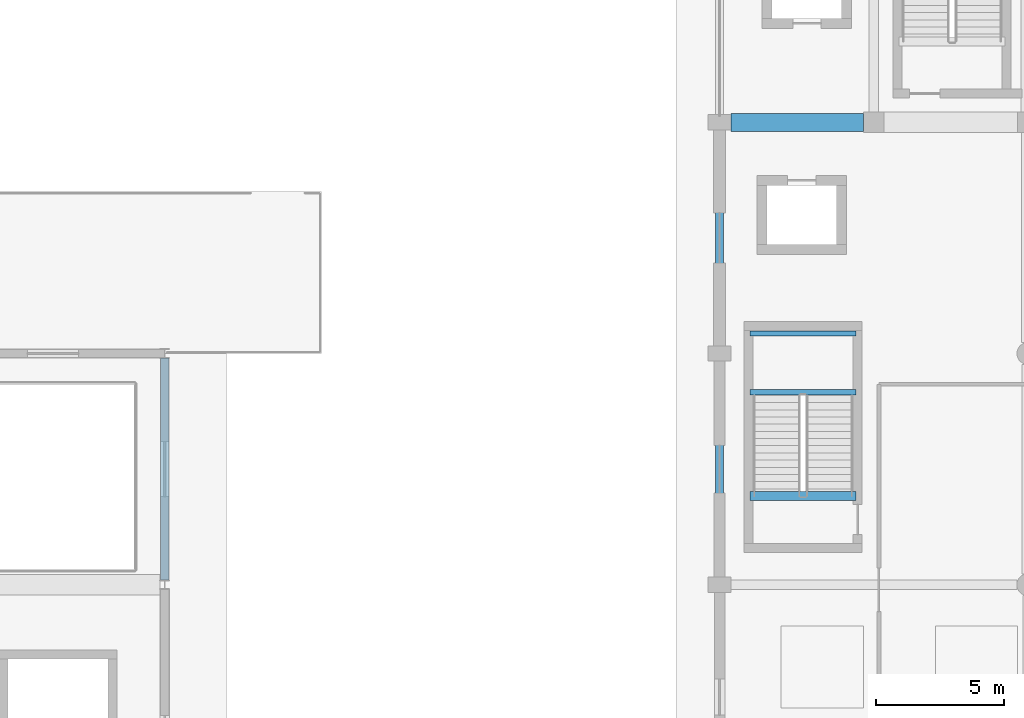
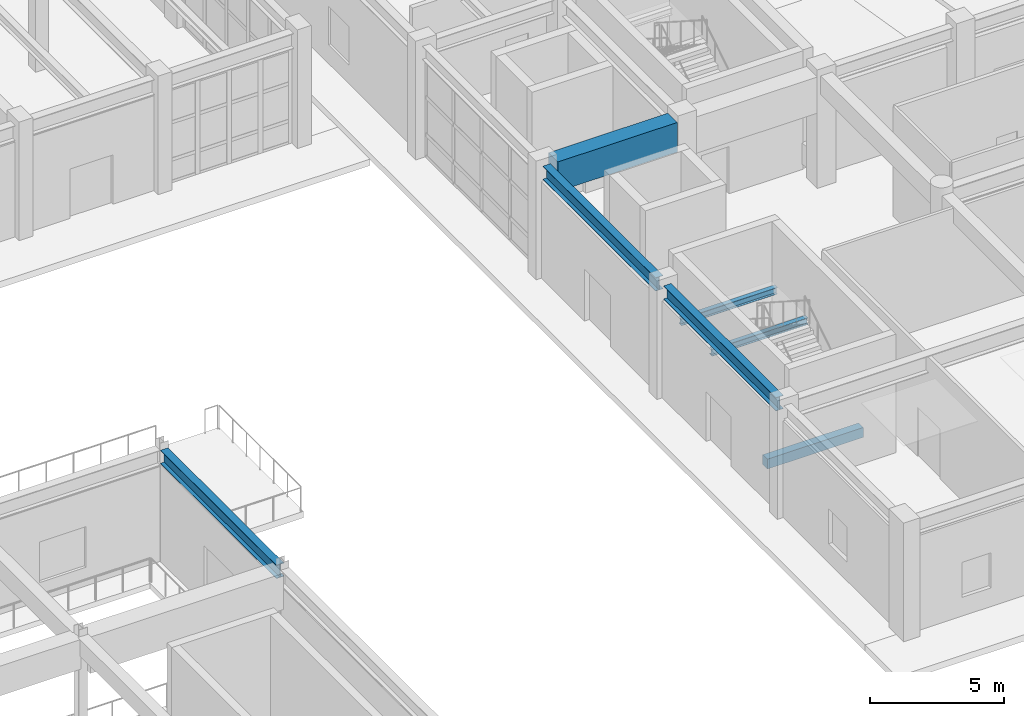
# One storey, part 6 of 91: 7 beams.
"""IFC4 building model written with IfcOpenShell, lengths in metres."""

from ifc_helpers import new_model, si_unit, direction, frame, origin, origin_2d, place, context, subcontext, project, spatial, rectangle, i_section, extrude, material, material_profile, profile_set, type_object, element, save


model = new_model("IFC4")

# Units and contexts
model_context = context("Model", 3, precision=1e-05, world=origin(), true_north=direction((0.0, 1.0)))
body_context = subcontext(model_context, "Body", "Model", "MODEL_VIEW")
ifc_project = project(units=[si_unit("LENGTHUNIT", "METRE"), si_unit("AREAUNIT", "SQUARE_METRE"), si_unit("VOLUMEUNIT", "CUBIC_METRE"), si_unit("PLANEANGLEUNIT", "RADIAN"), si_unit("MASSUNIT", "GRAM", prefix="KILO")], contexts=[model_context])

# Site, building, storey
site_placement = place(None, origin())
site = spatial("IfcSite", under=ifc_project, at=site_placement, CompositionType="ELEMENT")
building_placement = place(site_placement, origin())
building = spatial("IfcBuilding", under=site, at=building_placement, Name="Vaelkrest Opera House", CompositionType="ELEMENT")
storey_placement = place(building_placement, origin())
storey = spatial("IfcBuildingStorey", under=building, at=storey_placement, Name="L00", CompositionType="ELEMENT", Elevation=0.0)

# Beams
ifc_material_1 = material(Name="Concrete C50/60", Category="concrete")
ifc_material_profile_1 = material_profile(ifc_material_1, rectangle(XDim=0.699951171875, YDim=1.35009765625, at=origin_2d()), Name="RCB700X1350")
ifc_profile_set_1 = profile_set([ifc_material_profile_1], Name="Concrete C50/60")
beam_type_1 = type_object("IfcBeamType", Name="B06", PredefinedType="BEAM", material=ifc_profile_set_1)
beam_1_placement = place(storey_placement, frame((-29.550048828125, -28.800048828125, 4.405029296875), z_axis=(1.0, 0.0, 0.0), x_axis=(0.0, 1.0, 0.0)))
element("IfcBeam", 1, at=beam_1_placement, inside=storey, type_object=beam_type_1, Name="Beam BM-V1-L00-0103", PredefinedType="BEAM", context=body_context, shape_type="SweptSolid", body=[
    extrude(rectangle(XDim=0.699951171875, YDim=1.35009765625, at=origin_2d()), origin(), (0.0, 0.0, 1.0), 5.150146484375),
])
ifc_material_2 = material(Name="Steel A992 Gr50", Category="steel")
ifc_material_profile_2 = material_profile(ifc_material_2, i_section(OverallWidth=0.202880859375, OverallDepth=0.302978515625, WebThickness=0.007568359375, FlangeThickness=0.01318359375, at=origin_2d()), Name="W12X40")
ifc_profile_set_2 = profile_set([ifc_material_profile_2], Name="Steel A992 Gr50")
beam_type_2 = type_object("IfcBeamType", Name="J02", PredefinedType="JOIST", material=ifc_profile_set_2)
for number, where, z_axis, x_axis, name in (
    (2, (-28.820068359375, -39.31005859375, 2.348388671875), (1.0, 0.0, 0.0), (0.0, 1.0, 0.0), "Stair landing bearer beam ST03 L00-1N"),
    (3, (-28.820068359375, -37.02001953125, 2.348388671875), (1.0, 0.0, 0.0), (0.0, 1.0, 0.0), "Stair landing bearer beam ST03 L00-1F"),
):
    element("IfcBeam", number, at=place(storey_placement, frame(where, z_axis=z_axis, x_axis=x_axis)), inside=storey, type_object=beam_type_2, Name=name, PredefinedType="JOIST", context=body_context, shape_type="SweptSolid", body=[
        extrude(i_section(OverallWidth=0.202880859375, OverallDepth=0.302978515625, WebThickness=0.007568359375, FlangeThickness=0.01318359375, at=origin_2d()), origin(), (0.0, 0.0, 1.0), 4.14013671875),
    ])
ifc_material_profile_3 = material_profile(ifc_material_1, rectangle(XDim=0.35009765625, YDim=0.449951171875, at=origin_2d()), Name="RCB350X450")
ifc_profile_set_3 = profile_set([ifc_material_profile_3], Name="Concrete C50/60")
beam_type_3 = type_object("IfcBeamType", Name="LN01", PredefinedType="LINTEL", material=ifc_profile_set_3)
beam_2_placement = place(storey_placement, frame((-28.820068359375, -43.35009765625, -0.22509765625), z_axis=(1.0, 0.0, 0.0), x_axis=(0.0, 1.0, 0.0)))
element("IfcBeam", 4, at=beam_2_placement, inside=storey, type_object=beam_type_3, Name="Stairwell trimmer beam ST03 L00", PredefinedType="LINTEL", context=body_context, shape_type="SweptSolid", body=[
    extrude(rectangle(XDim=0.35009765625, YDim=0.449951171875, at=origin_2d()), origin(), (0.0, 0.0, 1.0), 4.14013671875),
])
ifc_material_profile_4 = material_profile(ifc_material_2, i_section(OverallWidth=0.323974609375, OverallDepth=0.611083984375, WebThickness=0.0126953125, FlangeThickness=0.01904296875, at=origin_2d()), Name="W24X104")
ifc_profile_set_4 = profile_set([ifc_material_profile_4], Name="Steel A992 Gr50")
beam_type_4 = type_object("IfcBeamType", Name="SP01", PredefinedType="SPANDREL", material=ifc_profile_set_4)
for number, where, z_axis, x_axis, name in (
    (5, (-30.0, -46.5, 4.7744140625), (0.0, 1.0, 0.0), (-1.0, 0.0, 0.0), "Beam BM-V1-L00-0142"),
    (6, (-30.0, -37.5, 4.7744140625), (0.0, 1.0, 0.0), (-1.0, 0.0, 0.0), "Beam BM-V1-L00-0143"),
):
    element("IfcBeam", number, at=place(storey_placement, frame(where, z_axis=z_axis, x_axis=x_axis)), inside=storey, type_object=beam_type_4, Name=name, PredefinedType="SPANDREL", context=body_context, shape_type="SweptSolid", body=[
        extrude(i_section(OverallWidth=0.323974609375, OverallDepth=0.611083984375, WebThickness=0.0126953125, FlangeThickness=0.01904296875, at=origin_2d()), origin(), (0.0, 0.0, 1.0), 8.39990234375),
    ])
beam_3_placement = place(storey_placement, frame((-51.60009765625, -46.6201171875, 4.7744140625), z_axis=(0.0, 1.0, 0.0), x_axis=(-1.0, 0.0, 0.0)))
element("IfcBeam", 7, at=beam_3_placement, inside=storey, type_object=beam_type_4, Name="Beam BM-V5-L00-2486", PredefinedType="SPANDREL", context=body_context, shape_type="SweptSolid", body=[
    extrude(i_section(OverallWidth=0.323974609375, OverallDepth=0.611083984375, WebThickness=0.0126953125, FlangeThickness=0.01904296875, at=origin_2d()), origin(), (0.0, 0.0, 1.0), 8.64013671875),
])

save(model, "model.ifc")
